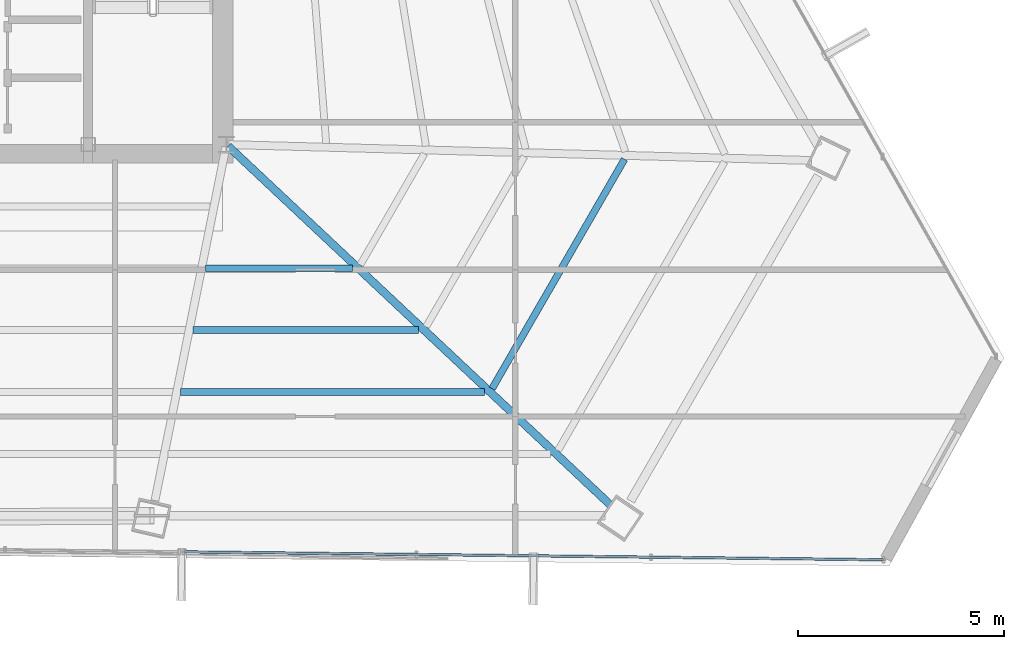
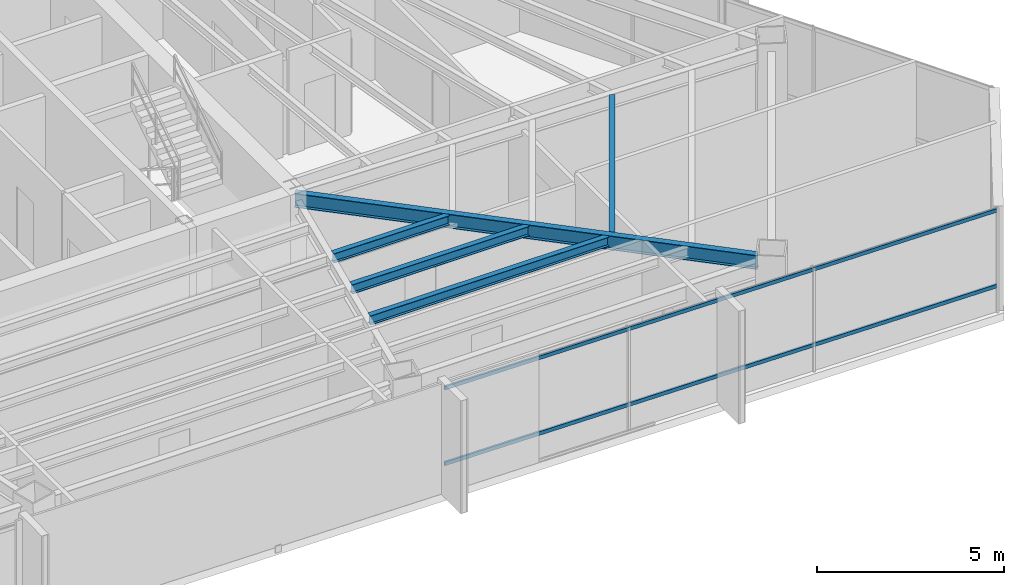
# One storey, part 19 of 42: 5 beams, 2 members, 1 element without a shape of its own.
"""IFC4 building model written with IfcOpenShell, lengths in metres."""

from ifc_helpers import new_model, si_unit, direction, frame, origin, origin_2d, place, context, subcontext, project, spatial, hollow_rectangle, i_section, extrude, source, transform, mapped, material, material_profile, profile_set, type_object, type_shapes, element, aggregate, save


model = new_model("IFC4")

# Units and contexts
model_context = context("Model", 3, precision=1e-05, world=origin(), true_north=direction((0.0, 1.0)))
body_context = subcontext(model_context, "Body", "Model", "MODEL_VIEW")
ifc_project = project(units=[si_unit("LENGTHUNIT", "METRE"), si_unit("AREAUNIT", "SQUARE_METRE"), si_unit("VOLUMEUNIT", "CUBIC_METRE"), si_unit("PLANEANGLEUNIT", "RADIAN"), si_unit("MASSUNIT", "GRAM", prefix="KILO")], contexts=[model_context])

# Site, building, storey
site_placement = place(None, origin())
site = spatial("IfcSite", under=ifc_project, at=site_placement, CompositionType="ELEMENT")
building_placement = place(site_placement, origin())
building = spatial("IfcBuilding", under=site, at=building_placement, Name="Caelisora Broadcast Tower", CompositionType="ELEMENT")
storey_placement = place(building_placement, frame((0.0, 0.0, 205.949951171875)))
storey = spatial("IfcBuildingStorey", under=building, at=storey_placement, Name="L54", CompositionType="ELEMENT", Elevation=205.949951171875)

# Beams
ifc_material_1 = material(Name="Steel Grade 350 (AS/NZS 3679.1)", Category="steel")
ifc_material_profile_1 = material_profile(ifc_material_1, i_section(OverallWidth=0.19091796875, OverallDepth=0.46044921875, WebThickness=0.010009765625, FlangeThickness=0.01611328125, at=origin_2d()), Name="Steel Grade 350 (AS/NZS 3679.1)")
ifc_profile_set_1 = profile_set([ifc_material_profile_1], Name="Steel Grade 350 (AS/NZS 3679.1)")
beam_type_1 = type_object("IfcBeamType", Name="PG06", PredefinedType="BEAM", material=ifc_profile_set_1)
shared_shape_1 = source(origin(), body_context, "Body", "SweptSolid", [
    extrude(i_section(OverallWidth=0.19091796875, OverallDepth=0.46044921875, WebThickness=0.010009765625, FlangeThickness=0.01611328125, at=origin_2d()), origin(), (0.0, 0.0, 1.0), 12.707763671875),
])
type_shapes(beam_type_1, [shared_shape_1])
beam_1_placement = place(storey_placement, frame((45.543701171875, 17.35888671875, 3.169921875), z_axis=(0.729134464161, -0.68437046486, 0.0), x_axis=(0.68437046486, 0.729134464161, 0.0)))
element("IfcBeam", 1, at=beam_1_placement, inside=storey, type_object=beam_type_1, Name="L54 beam PG06", PredefinedType="BEAM", context=body_context, shape_type="MappedRepresentation", body=[
    mapped(shared_shape_1, transform((0.0, 0.0, 0.0), scale=1.0)),
])
ifc_material_profile_2 = material_profile(ifc_material_1, i_section(OverallWidth=0.166015625, OverallDepth=0.30712890625, WebThickness=0.006591796875, FlangeThickness=0.01171875, at=origin_2d()), Name="Steel Grade 350 (AS/NZS 3679.1)")
ifc_profile_set_2 = profile_set([ifc_material_profile_2], Name="Steel Grade 350 (AS/NZS 3679.1)")
beam_type_2 = type_object("IfcBeamType", Name="SB03", PredefinedType="JOIST", material=ifc_profile_set_2)
shared_shape_2 = source(origin(), body_context, "Body", "SweptSolid", [
    extrude(i_section(OverallWidth=0.166015625, OverallDepth=0.30712890625, WebThickness=0.006591796875, FlangeThickness=0.01171875, at=origin_2d()), origin(), (0.0, 0.0, 1.0), 6.41796875),
])
beam_2_placement = place(storey_placement, frame((51.9365234375, 11.485595703125, 3.246337890625), z_axis=(0.500001248813, 0.866024682781, 0.0), x_axis=(-0.866024682781, 0.500001248813, 0.0)))
element("IfcBeam", 2, at=beam_2_placement, inside=storey, type_object=beam_type_2, Name="L54 beam SB03", PredefinedType="JOIST", context=body_context, shape_type="MappedRepresentation", body=[
    mapped(shared_shape_2, transform((0.0, 0.0, 0.0), scale=1.0)),
])
shared_shape_3 = source(origin(), body_context, "Body", "SweptSolid", [
    extrude(i_section(OverallWidth=0.166015625, OverallDepth=0.30712890625, WebThickness=0.006591796875, FlangeThickness=0.01171875, at=origin_2d()), origin(), (0.0, 0.0, 1.0), 3.5654296875),
])
beam_3_placement = place(storey_placement, frame((44.99267578125, 14.401611328125, 3.246337890625), z_axis=(1.0, 0.0, 0.0), x_axis=(0.0, 1.0, 0.0)))
element("IfcBeam", 3, at=beam_3_placement, inside=storey, type_object=beam_type_2, Name="L54 beam SB03", PredefinedType="JOIST", context=body_context, shape_type="MappedRepresentation", body=[
    mapped(shared_shape_3, transform((0.0, 0.0, 0.0), scale=1.0)),
])
shared_shape_4 = source(origin(), body_context, "Body", "SweptSolid", [
    extrude(i_section(OverallWidth=0.166015625, OverallDepth=0.30712890625, WebThickness=0.006591796875, FlangeThickness=0.01171875, at=origin_2d()), origin(), (0.0, 0.0, 1.0), 5.463623046875),
])
beam_4_placement = place(storey_placement, frame((44.691650390625, 12.90234375, 3.246337890625), z_axis=(1.0, 0.0, 0.0), x_axis=(0.0, 1.0, 0.0)))
element("IfcBeam", 4, at=beam_4_placement, inside=storey, type_object=beam_type_2, Name="L54 beam SB03", PredefinedType="JOIST", context=body_context, shape_type="MappedRepresentation", body=[
    mapped(shared_shape_4, transform((0.0, 0.0, 0.0), scale=1.0)),
])
shared_shape_5 = source(origin(), body_context, "Body", "SweptSolid", [
    extrude(i_section(OverallWidth=0.166015625, OverallDepth=0.30712890625, WebThickness=0.006591796875, FlangeThickness=0.01171875, at=origin_2d()), origin(), (0.0, 0.0, 1.0), 7.36181640625),
])
type_shapes(beam_type_2, [shared_shape_2, shared_shape_3, shared_shape_4, shared_shape_5])
beam_5_placement = place(storey_placement, frame((44.390625, 11.4033203125, 3.246337890625), z_axis=(1.0, 0.0, 0.0), x_axis=(0.0, 1.0, 0.0)))
element("IfcBeam", 5, at=beam_5_placement, inside=storey, type_object=beam_type_2, Name="L54 beam SB03", PredefinedType="JOIST", context=body_context, shape_type="MappedRepresentation", body=[
    mapped(shared_shape_5, transform((0.0, 0.0, 0.0), scale=1.0)),
])

# Curtain wall, members
ifc_material_2 = material(Name="Unitised Aluminium and Low-E Glass Curtain Wall", Category="glass")
curtain_wall_type = type_object("IfcCurtainWallType", Name="CW-Z4", PredefinedType="NOTDEFINED", material=ifc_material_2)
curtain_wall_placement = place(storey_placement, origin())
curtain_wall = element("IfcCurtainWall", 6, at=curtain_wall_placement, inside=storey, type_object=curtain_wall_type, Name="L54 curtain wall CW-Z4", PredefinedType="NOTDEFINED")
ifc_material_3 = material(Name="Aluminium 6063-T6 Anodised Terracotta Bronze", Category="aluminium")
ifc_material_profile_3 = material_profile(ifc_material_3, hollow_rectangle(XDim=0.06005859375, YDim=0.1201171875, WallThickness=0.0029296875, at=origin_2d()), Name="Aluminium 6063-T6 Anodised Terracotta Bronze")
ifc_profile_set_3 = profile_set([ifc_material_profile_3], Name="Aluminium 6063-T6 Anodised Terracotta Bronze")
member_type = type_object("IfcMemberType", Name="CWT-03", PredefinedType="USERDEFINED", material=ifc_profile_set_3)
shared_shape_6 = source(origin(), body_context, "Body", "SweptSolid", [
    extrude(hollow_rectangle(XDim=0.06005859375, YDim=0.1201171875, WallThickness=0.0029296875, at=origin_2d()), origin(), (0.0, 0.0, 1.0), 16.94580078125),
])
type_shapes(member_type, [shared_shape_6])
member_1_placement = place(storey_placement, frame((61.4189453125, 7.338623046875, 0.85009765625), z_axis=(-0.999935227903, 0.011381563986, 0.0), x_axis=(-0.011381563986, -0.999935227903, 0.0)))
member_1 = element("IfcMember", 7, at=member_1_placement, type_object=member_type, Name="L54-CW-B05 transom #1", ObjectType="TRANSOM", PredefinedType="USERDEFINED", context=body_context, shape_type="MappedRepresentation", body=[
    mapped(shared_shape_6, transform((0.0, 0.0, 0.0), scale=1.0)),
])
member_2_placement = place(storey_placement, frame((61.4189453125, 7.338623046875, 3.320068359375), z_axis=(-0.999935227903, 0.011381563986, 0.0), x_axis=(-0.011381563986, -0.999935227903, 0.0)))
member_2 = element("IfcMember", 8, at=member_2_placement, type_object=member_type, Name="L54-CW-B05 transom #2", ObjectType="TRANSOM", PredefinedType="USERDEFINED", context=body_context, shape_type="MappedRepresentation", body=[
    mapped(shared_shape_6, transform((0.0, 0.0, 0.0), scale=1.0)),
])
aggregate(curtain_wall, [member_1, member_2])

save(model, "model.ifc")
